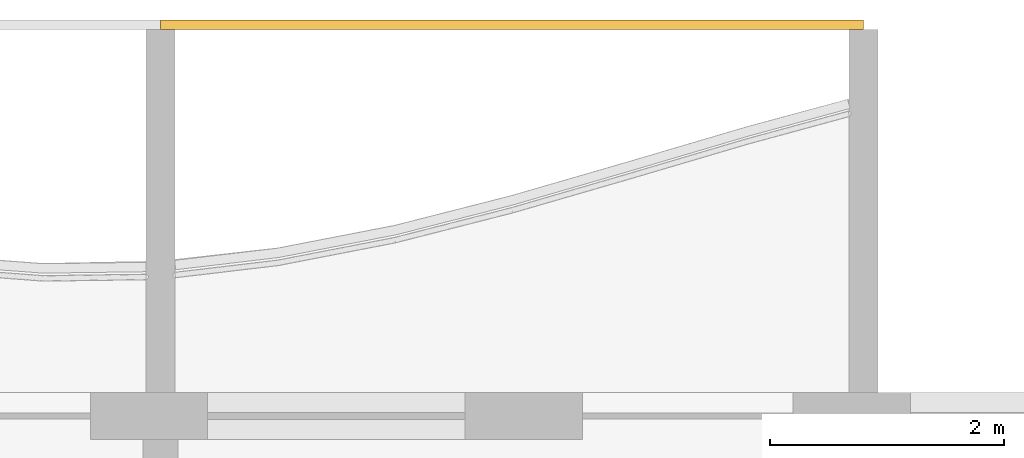
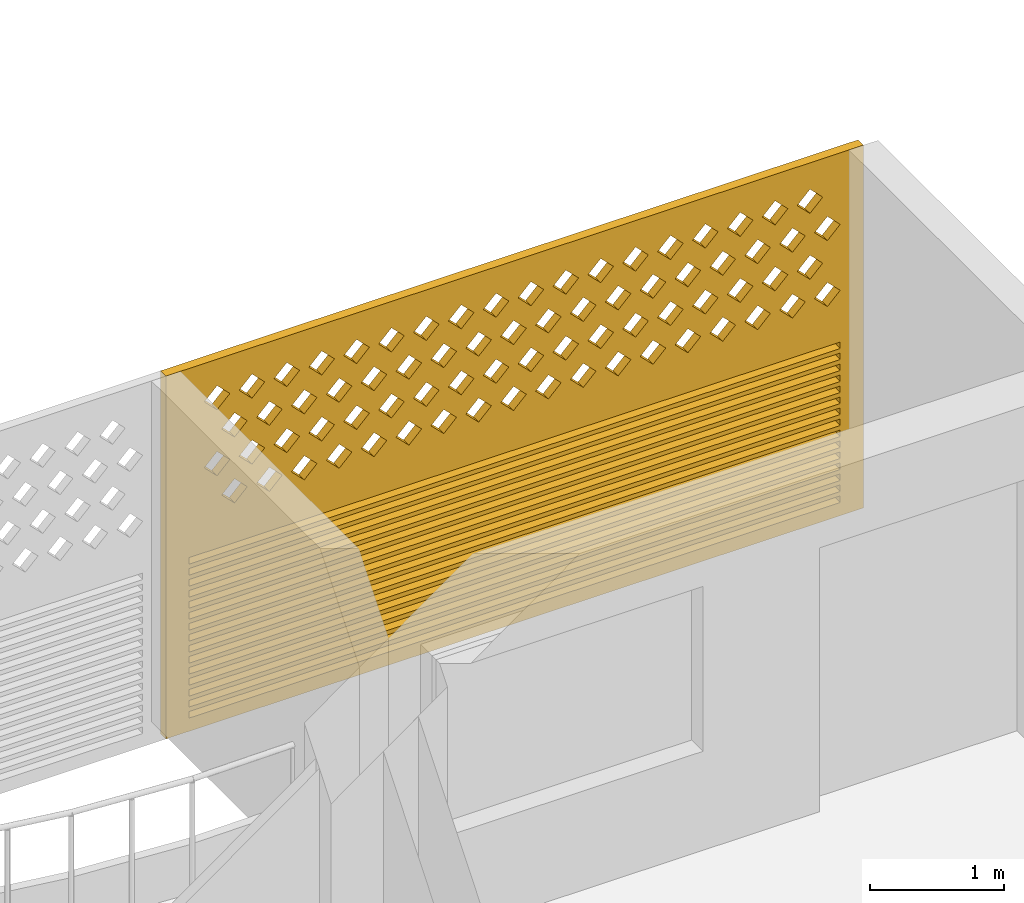
# One storey, part 19 of 31: 1 covering.
"""IFC4 building model written with IfcOpenShell, lengths in metres."""

import ifcopenshell
import ifcopenshell.guid

model = None  # the IFC model being written
_history = None  # IfcOwnerHistory: only IFC2X3 demands one
_inside = {}  # id of a spatial element -> (the spatial element, [elements in it])
_under = {}  # id of a project, library or spatial element -> (it, [spatial elements below it])
_declared = {}  # id of a project -> (the project, [libraries it declares])
_typed = {}  # id of a type object -> (the type object, [elements of that type])
_made_of = {}  # id of a material, layer set ... -> (it, [elements and type objects made of it])


def new_model(schema):
    """Start an empty IFC model of exactly this schema.

    Asked for "IFC4X3", IfcOpenShell would pick the latest addendum, in which some entities
    have other attributes; the version numbers below select the first issue.
    IFC2X3 requires an IfcOwnerHistory on every rooted entity: one is made here for all.
    """
    global model, _history
    if schema == "IFC4X3":
        model = ifcopenshell.file(schema_version=(4, 3, 0, 0))
    else:
        model = ifcopenshell.file(schema=schema)
    _inside.clear()
    _under.clear()
    _declared.clear()
    _typed.clear()
    _made_of.clear()
    _history = None
    if model.schema == "IFC2X3":
        org = make("IfcOrganization", Name="unknown")
        user = make(
            "IfcPersonAndOrganization",
            ThePerson=make("IfcPerson", FamilyName="unknown"),
            TheOrganization=org,
        )
        app = make(
            "IfcApplication",
            ApplicationDeveloper=org,
            Version="unknown",
            ApplicationFullName="unknown",
            ApplicationIdentifier="unknown",
        )
        _history = make(
            "IfcOwnerHistory",
            OwningUser=user,
            OwningApplication=app,
            ChangeAction="ADDED",
            CreationDate=0,
        )
    return model


def make(cls, **values):
    """One entity of the class cls with the attributes given. An attribute that is None is left unset."""
    return model.create_entity(
        cls, **{name: value for name, value in values.items() if value is not None}
    )


def rooted(cls, **values):
    """An entity with a GlobalId (a new one), such as an element, a storey or a relation."""
    return make(cls, GlobalId=ifcopenshell.guid.new(), OwnerHistory=_history, **values)


def si_unit(unit_type, name, prefix=None):
    """IfcSIUnit, for example si_unit("LENGTHUNIT", "METRE", prefix="MILLI")."""
    return make("IfcSIUnit", UnitType=unit_type, Prefix=prefix, Name=name)


def assignment(units):
    """IfcUnitAssignment: the units of a project."""
    return None if units is None else make("IfcUnitAssignment", Units=units)


def point(xyz):
    """IfcCartesianPoint."""
    return None if xyz is None else make("IfcCartesianPoint", Coordinates=xyz)


def direction(xyz):
    """IfcDirection."""
    return None if xyz is None else make("IfcDirection", DirectionRatios=xyz)


def frame(location, z_axis=None, x_axis=None):
    """IfcAxis2Placement3D, a coordinate frame: its origin and axes. An axis left out is left unset."""
    return make(
        "IfcAxis2Placement3D",
        Location=point(location),
        Axis=direction(z_axis),
        RefDirection=direction(x_axis),
    )


def origin():
    """The frame at (0, 0, 0) with its axes left unset."""
    return frame((0.0, 0.0, 0.0))


def place(relative_to, where):
    """IfcLocalPlacement: puts the frame where relative to a parent placement (None: the world)."""
    return make(
        "IfcLocalPlacement", PlacementRelTo=relative_to, RelativePlacement=where
    )


def context(
    kind, dimensions, precision=None, world=None, true_north=None, identifier=None
):
    """IfcGeometricRepresentationContext, for example the 3D "Model" context."""
    return make(
        "IfcGeometricRepresentationContext",
        ContextIdentifier=identifier,
        ContextType=kind,
        CoordinateSpaceDimension=dimensions,
        Precision=precision,
        WorldCoordinateSystem=world,
        TrueNorth=true_north,
    )


def subcontext(parent, identifier, kind, view, scale=None):
    """IfcGeometricRepresentationSubContext, for example "Body" below "Model"."""
    return make(
        "IfcGeometricRepresentationSubContext",
        ContextIdentifier=identifier,
        ContextType=kind,
        ParentContext=parent,
        TargetScale=scale,
        TargetView=view,
    )


def project(units=None, contexts=None):
    """IfcProject with its units and contexts."""
    return rooted(
        "IfcProject",
        Name="project",
        RepresentationContexts=contexts,
        UnitsInContext=assignment(units),
    )


def spatial(cls, under=None, at=None, **own):
    """A site, building, storey or space (cls), placed at a placement, below another one or the project."""
    s = rooted(cls, ObjectPlacement=at, **own)
    if under is not None:
        _under.setdefault(under.id(), (under, []))[1].append(s)
    return s


def polyline(points):
    """IfcPolyline through the points."""
    return make("IfcPolyline", Points=[point(p) for p in points])


def outline(outer, holes=None, kind="AREA"):
    """IfcArbitraryClosedProfileDef: a profile drawn as a closed curve; with holes, ...WithVoids."""
    if holes is None:
        return make("IfcArbitraryClosedProfileDef", ProfileType=kind, OuterCurve=outer)
    return make(
        "IfcArbitraryProfileDefWithVoids",
        ProfileType=kind,
        OuterCurve=outer,
        InnerCurves=holes,
    )


def extrude(swept, where, along, depth):
    """IfcExtrudedAreaSolid: the profile swept, set in the frame where, extruded along a direction by depth."""
    return make(
        "IfcExtrudedAreaSolid",
        SweptArea=swept,
        Position=where,
        ExtrudedDirection=direction(along),
        Depth=depth,
    )


def shape(context_of_items, identifier, shape_type, items):
    """IfcShapeRepresentation: the items that make up one representation, for example the "Body"."""
    return make(
        "IfcShapeRepresentation",
        ContextOfItems=context_of_items,
        RepresentationIdentifier=identifier,
        RepresentationType=shape_type,
        Items=items,
    )


def source(mapping_origin, context_of_items, identifier, shape_type, items):
    """IfcRepresentationMap: a shape defined once, which mapped items show again and again."""
    return make(
        "IfcRepresentationMap",
        MappingOrigin=mapping_origin,
        MappedRepresentation=shape(context_of_items, identifier, shape_type, items),
    )


def transform(
    local_origin,
    x_axis=None,
    y_axis=None,
    z_axis=None,
    scale=None,
    scale2=None,
    scale3=None,
    uniform=True,
):
    """IfcCartesianTransformationOperator3D, or its non-uniform kind. x_axis, y_axis, z_axis: its Axis1, 2, 3."""
    if uniform:
        return make(
            "IfcCartesianTransformationOperator3D",
            Axis1=direction(x_axis),
            Axis2=direction(y_axis),
            LocalOrigin=point(local_origin),
            Scale=scale,
            Axis3=direction(z_axis),
        )
    return make(
        "IfcCartesianTransformationOperator3DnonUniform",
        Axis1=direction(x_axis),
        Axis2=direction(y_axis),
        LocalOrigin=point(local_origin),
        Scale=scale,
        Axis3=direction(z_axis),
        Scale2=scale2,
        Scale3=scale3,
    )


def mapped(mapping_source, mapping_target):
    """IfcMappedItem: shows the shape of a source again, moved by a transform."""
    return make(
        "IfcMappedItem", MappingSource=mapping_source, MappingTarget=mapping_target
    )


def material(Name=None, Category=None):
    """IfcMaterial."""
    return make("IfcMaterial", Name=Name, Category=Category)


def material_profile(
    of_material, cross_section, Name=None, Category=None, Priority=None
):
    """IfcMaterialProfile: a cross section and its material."""
    return make(
        "IfcMaterialProfile",
        Name=Name,
        Material=of_material,
        Profile=cross_section,
        Priority=Priority,
        Category=Category,
    )


def profile_set(profiles, Name=None, composite=None):
    """IfcMaterialProfileSet."""
    return make(
        "IfcMaterialProfileSet",
        Name=Name,
        MaterialProfiles=profiles,
        CompositeProfile=composite,
    )


def made_of(thing, what):
    """Note that an element or type object is made of a material, layer set ...; save() writes the relation."""
    if what is not None:
        _made_of.setdefault(what.id(), (what, []))[1].append(thing)
    return thing


def type_object(cls, material=None, **own):
    """A type object (cls), such as IfcWallType, which elements share."""
    return made_of(rooted(cls, **own), material)


def element(
    cls,
    number,
    at=None,
    inside=None,
    cuts=None,
    type_object=None,
    material=None,
    context=None,
    identifier="Body",
    shape_type=None,
    held_by="IfcProductDefinitionShape",
    body=None,
    shapes=None,
    **own,
):
    """One element of the class cls, such as IfcWall. Its Tag is "e" and its number.

    at: its placement. inside: the storey or other place that contains it. cuts: it is an
    opening in that element (IfcRelVoidsElement). A single representation is given by context,
    identifier, shape_type and body (its items); several are given by shapes. held_by: the class
    of the entity that holds the representations. save() writes the other relations.
    """
    e = rooted(cls, Tag="e%d" % number, ObjectPlacement=at, **own)
    if body is not None:
        shapes = [shape(context, identifier, shape_type, body)]
    if shapes is not None:
        e.Representation = make(held_by, Representations=shapes)
    if inside is not None:
        _inside.setdefault(inside.id(), (inside, []))[1].append(e)
    if cuts is not None:
        rooted(
            "IfcRelVoidsElement", RelatingBuildingElement=cuts, RelatedOpeningElement=e
        )
    if type_object is not None:
        _typed.setdefault(type_object.id(), (type_object, []))[1].append(e)
    return made_of(e, material)


def aggregate(whole, parts):
    """IfcRelAggregates: a whole, such as a stair, and the parts it consists of."""
    return rooted("IfcRelAggregates", RelatingObject=whole, RelatedObjects=parts)


def save(model, path):
    """Write the relations noted so far, then the file.

    IfcRelAggregates (storeys below a building ...), IfcRelContainedInSpatialStructure (elements
    in a storey), IfcRelDefinesByType, IfcRelAssociatesMaterial and IfcRelDeclares: one each for
    every whole, place, type object, material and project.
    """
    for whole, parts in _under.values():
        aggregate(whole, parts)
    for where, things in _inside.values():
        rooted(
            "IfcRelContainedInSpatialStructure",
            RelatedElements=things,
            RelatingStructure=where,
        )
    for kind, things in _typed.values():
        rooted("IfcRelDefinesByType", RelatedObjects=things, RelatingType=kind)
    for what, things in _made_of.values():
        rooted("IfcRelAssociatesMaterial", RelatedObjects=things, RelatingMaterial=what)
    for by, libraries in _declared.values():
        rooted("IfcRelDeclares", RelatingContext=by, RelatedDefinitions=libraries)
    model.write(path)


model = new_model("IFC4")

# Units and contexts
model_context = context("Model", 3, precision=1e-05, world=origin(), true_north=direction((0.0, 1.0)))
body_context = subcontext(model_context, "Body", "Model", "MODEL_VIEW")
ifc_project = project(units=[si_unit("LENGTHUNIT", "METRE"), si_unit("AREAUNIT", "SQUARE_METRE"), si_unit("VOLUMEUNIT", "CUBIC_METRE"), si_unit("PLANEANGLEUNIT", "RADIAN"), si_unit("MASSUNIT", "GRAM", prefix="KILO")], contexts=[model_context])

# Site, building, storey
site_placement = place(None, origin())
site = spatial("IfcSite", under=ifc_project, at=site_placement, CompositionType="ELEMENT")
building_placement = place(site_placement, origin())
building = spatial("IfcBuilding", under=site, at=building_placement, Name="Poui Terraces", CompositionType="ELEMENT")
storey_placement = place(building_placement, frame((0.0, 0.0, 148.800048828125)))
storey = spatial("IfcBuildingStorey", under=building, at=storey_placement, Name="L41", CompositionType="ELEMENT", Elevation=148.800048828125)

# Covering
ifc_material = material(Name="Terracotta screen", Category="masonry")
ifc_material_profile = material_profile(ifc_material, outline(polyline([(-3.0, -1.64990234375), (3.0, -1.64990234375), (3.0, 1.64990234375), (-3.0, 1.64990234375), (-3.0, -1.64990234375)]), holes=[polyline([(-2.800048828125, 0.39990234375), (-2.68994140625, 0.2900390625), (-2.580078125, 0.39990234375), (-2.68994140625, 0.510009765625), (-2.800048828125, 0.39990234375)]), polyline([(-2.5, 0.39990234375), (-2.389892578125, 0.2900390625), (-2.280029296875, 0.39990234375), (-2.389892578125, 0.510009765625), (-2.5, 0.39990234375)]), polyline([(-2.199951171875, 0.39990234375), (-2.090087890625, 0.2900390625), (-1.97998046875, 0.39990234375), (-2.090087890625, 0.510009765625), (-2.199951171875, 0.39990234375)]), polyline([(-1.89990234375, 0.39990234375), (-1.7900390625, 0.2900390625), (-1.679931640625, 0.39990234375), (-1.7900390625, 0.510009765625), (-1.89990234375, 0.39990234375)]), polyline([(-1.60009765625, 0.39990234375), (-1.489990234375, 0.2900390625), (-1.3798828125, 0.39990234375), (-1.489990234375, 0.510009765625), (-1.60009765625, 0.39990234375)]), polyline([(-1.300048828125, 0.39990234375), (-1.18994140625, 0.2900390625), (-1.080078125, 0.39990234375), (-1.18994140625, 0.510009765625), (-1.300048828125, 0.39990234375)]), polyline([(-1.0, 0.39990234375), (-0.889892578125, 0.2900390625), (-0.780029296875, 0.39990234375), (-0.889892578125, 0.510009765625), (-1.0, 0.39990234375)]), polyline([(-0.699951171875, 0.39990234375), (-0.590087890625, 0.2900390625), (-0.47998046875, 0.39990234375), (-0.590087890625, 0.510009765625), (-0.699951171875, 0.39990234375)]), polyline([(-0.39990234375, 0.39990234375), (-0.2900390625, 0.2900390625), (-0.179931640625, 0.39990234375), (-0.2900390625, 0.510009765625), (-0.39990234375, 0.39990234375)]), polyline([(-0.10009765625, 0.39990234375), (0.010009765625, 0.2900390625), (0.1201171875, 0.39990234375), (0.010009765625, 0.510009765625), (-0.10009765625, 0.39990234375)]), polyline([(0.199951171875, 0.39990234375), (0.31005859375, 0.2900390625), (0.419921875, 0.39990234375), (0.31005859375, 0.510009765625), (0.199951171875, 0.39990234375)]), polyline([(0.5, 0.39990234375), (0.610107421875, 0.2900390625), (0.719970703125, 0.39990234375), (0.610107421875, 0.510009765625), (0.5, 0.39990234375)]), polyline([(0.800048828125, 0.39990234375), (0.909912109375, 0.2900390625), (1.02001953125, 0.39990234375), (0.909912109375, 0.510009765625), (0.800048828125, 0.39990234375)]), polyline([(1.10009765625, 0.39990234375), (1.2099609375, 0.2900390625), (1.320068359375, 0.39990234375), (1.2099609375, 0.510009765625), (1.10009765625, 0.39990234375)]), polyline([(1.39990234375, 0.39990234375), (1.510009765625, 0.2900390625), (1.6201171875, 0.39990234375), (1.510009765625, 0.510009765625), (1.39990234375, 0.39990234375)]), polyline([(1.699951171875, 0.39990234375), (1.81005859375, 0.2900390625), (1.919921875, 0.39990234375), (1.81005859375, 0.510009765625), (1.699951171875, 0.39990234375)]), polyline([(2.0, 0.39990234375), (2.110107421875, 0.2900390625), (2.219970703125, 0.39990234375), (2.110107421875, 0.510009765625), (2.0, 0.39990234375)]), polyline([(2.300048828125, 0.39990234375), (2.409912109375, 0.2900390625), (2.52001953125, 0.39990234375), (2.409912109375, 0.510009765625), (2.300048828125, 0.39990234375)]), polyline([(-2.64990234375, 0.699951171875), (-2.5400390625, 0.590087890625), (-2.429931640625, 0.699951171875), (-2.5400390625, 0.81005859375), (-2.64990234375, 0.699951171875)]), polyline([(-2.35009765625, 0.699951171875), (-2.239990234375, 0.590087890625), (-2.1298828125, 0.699951171875), (-2.239990234375, 0.81005859375), (-2.35009765625, 0.699951171875)]), polyline([(-2.050048828125, 0.699951171875), (-1.93994140625, 0.590087890625), (-1.830078125, 0.699951171875), (-1.93994140625, 0.81005859375), (-2.050048828125, 0.699951171875)]), polyline([(-1.75, 0.699951171875), (-1.639892578125, 0.590087890625), (-1.530029296875, 0.699951171875), (-1.639892578125, 0.81005859375), (-1.75, 0.699951171875)]), polyline([(-1.449951171875, 0.699951171875), (-1.340087890625, 0.590087890625), (-1.22998046875, 0.699951171875), (-1.340087890625, 0.81005859375), (-1.449951171875, 0.699951171875)]), polyline([(-1.14990234375, 0.699951171875), (-1.0400390625, 0.590087890625), (-0.929931640625, 0.699951171875), (-1.0400390625, 0.81005859375), (-1.14990234375, 0.699951171875)]), polyline([(-0.85009765625, 0.699951171875), (-0.739990234375, 0.590087890625), (-0.6298828125, 0.699951171875), (-0.739990234375, 0.81005859375), (-0.85009765625, 0.699951171875)]), polyline([(-0.550048828125, 0.699951171875), (-0.43994140625, 0.590087890625), (-0.330078125, 0.699951171875), (-0.43994140625, 0.81005859375), (-0.550048828125, 0.699951171875)]), polyline([(-0.25, 0.699951171875), (-0.139892578125, 0.590087890625), (-0.030029296875, 0.699951171875), (-0.139892578125, 0.81005859375), (-0.25, 0.699951171875)]), polyline([(0.050048828125, 0.699951171875), (0.159912109375, 0.590087890625), (0.27001953125, 0.699951171875), (0.159912109375, 0.81005859375), (0.050048828125, 0.699951171875)]), polyline([(0.35009765625, 0.699951171875), (0.4599609375, 0.590087890625), (0.570068359375, 0.699951171875), (0.4599609375, 0.81005859375), (0.35009765625, 0.699951171875)]), polyline([(0.64990234375, 0.699951171875), (0.760009765625, 0.590087890625), (0.8701171875, 0.699951171875), (0.760009765625, 0.81005859375), (0.64990234375, 0.699951171875)]), polyline([(0.949951171875, 0.699951171875), (1.06005859375, 0.590087890625), (1.169921875, 0.699951171875), (1.06005859375, 0.81005859375), (0.949951171875, 0.699951171875)]), polyline([(1.25, 0.699951171875), (1.360107421875, 0.590087890625), (1.469970703125, 0.699951171875), (1.360107421875, 0.81005859375), (1.25, 0.699951171875)]), polyline([(1.550048828125, 0.699951171875), (1.659912109375, 0.590087890625), (1.77001953125, 0.699951171875), (1.659912109375, 0.81005859375), (1.550048828125, 0.699951171875)]), polyline([(1.85009765625, 0.699951171875), (1.9599609375, 0.590087890625), (2.070068359375, 0.699951171875), (1.9599609375, 0.81005859375), (1.85009765625, 0.699951171875)]), polyline([(2.14990234375, 0.699951171875), (2.260009765625, 0.590087890625), (2.3701171875, 0.699951171875), (2.260009765625, 0.81005859375), (2.14990234375, 0.699951171875)]), polyline([(2.449951171875, 0.699951171875), (2.56005859375, 0.590087890625), (2.669921875, 0.699951171875), (2.56005859375, 0.81005859375), (2.449951171875, 0.699951171875)]), polyline([(-2.800048828125, 1.0), (-2.68994140625, 0.889892578125), (-2.580078125, 1.0), (-2.68994140625, 1.110107421875), (-2.800048828125, 1.0)]), polyline([(-2.5, 1.0), (-2.389892578125, 0.889892578125), (-2.280029296875, 1.0), (-2.389892578125, 1.110107421875), (-2.5, 1.0)]), polyline([(-2.199951171875, 1.0), (-2.090087890625, 0.889892578125), (-1.97998046875, 1.0), (-2.090087890625, 1.110107421875), (-2.199951171875, 1.0)]), polyline([(-1.89990234375, 1.0), (-1.7900390625, 0.889892578125), (-1.679931640625, 1.0), (-1.7900390625, 1.110107421875), (-1.89990234375, 1.0)]), polyline([(-1.60009765625, 1.0), (-1.489990234375, 0.889892578125), (-1.3798828125, 1.0), (-1.489990234375, 1.110107421875), (-1.60009765625, 1.0)]), polyline([(-1.300048828125, 1.0), (-1.18994140625, 0.889892578125), (-1.080078125, 1.0), (-1.18994140625, 1.110107421875), (-1.300048828125, 1.0)]), polyline([(-1.0, 1.0), (-0.889892578125, 0.889892578125), (-0.780029296875, 1.0), (-0.889892578125, 1.110107421875), (-1.0, 1.0)]), polyline([(-0.699951171875, 1.0), (-0.590087890625, 0.889892578125), (-0.47998046875, 1.0), (-0.590087890625, 1.110107421875), (-0.699951171875, 1.0)]), polyline([(-0.39990234375, 1.0), (-0.2900390625, 0.889892578125), (-0.179931640625, 1.0), (-0.2900390625, 1.110107421875), (-0.39990234375, 1.0)]), polyline([(-0.10009765625, 1.0), (0.010009765625, 0.889892578125), (0.1201171875, 1.0), (0.010009765625, 1.110107421875), (-0.10009765625, 1.0)]), polyline([(0.199951171875, 1.0), (0.31005859375, 0.889892578125), (0.419921875, 1.0), (0.31005859375, 1.110107421875), (0.199951171875, 1.0)]), polyline([(0.5, 1.0), (0.610107421875, 0.889892578125), (0.719970703125, 1.0), (0.610107421875, 1.110107421875), (0.5, 1.0)]), polyline([(0.800048828125, 1.0), (0.909912109375, 0.889892578125), (1.02001953125, 1.0), (0.909912109375, 1.110107421875), (0.800048828125, 1.0)]), polyline([(1.10009765625, 1.0), (1.2099609375, 0.889892578125), (1.320068359375, 1.0), (1.2099609375, 1.110107421875), (1.10009765625, 1.0)]), polyline([(1.39990234375, 1.0), (1.510009765625, 0.889892578125), (1.6201171875, 1.0), (1.510009765625, 1.110107421875), (1.39990234375, 1.0)]), polyline([(1.699951171875, 1.0), (1.81005859375, 0.889892578125), (1.919921875, 1.0), (1.81005859375, 1.110107421875), (1.699951171875, 1.0)]), polyline([(2.0, 1.0), (2.110107421875, 0.889892578125), (2.219970703125, 1.0), (2.110107421875, 1.110107421875), (2.0, 1.0)]), polyline([(2.300048828125, 1.0), (2.409912109375, 0.889892578125), (2.52001953125, 1.0), (2.409912109375, 1.110107421875), (2.300048828125, 1.0)]), polyline([(-2.64990234375, 1.300048828125), (-2.5400390625, 1.18994140625), (-2.429931640625, 1.300048828125), (-2.5400390625, 1.409912109375), (-2.64990234375, 1.300048828125)]), polyline([(-2.35009765625, 1.300048828125), (-2.239990234375, 1.18994140625), (-2.1298828125, 1.300048828125), (-2.239990234375, 1.409912109375), (-2.35009765625, 1.300048828125)]), polyline([(-2.050048828125, 1.300048828125), (-1.93994140625, 1.18994140625), (-1.830078125, 1.300048828125), (-1.93994140625, 1.409912109375), (-2.050048828125, 1.300048828125)]), polyline([(-1.75, 1.300048828125), (-1.639892578125, 1.18994140625), (-1.530029296875, 1.300048828125), (-1.639892578125, 1.409912109375), (-1.75, 1.300048828125)]), polyline([(-1.449951171875, 1.300048828125), (-1.340087890625, 1.18994140625), (-1.22998046875, 1.300048828125), (-1.340087890625, 1.409912109375), (-1.449951171875, 1.300048828125)]), polyline([(-1.14990234375, 1.300048828125), (-1.0400390625, 1.18994140625), (-0.929931640625, 1.300048828125), (-1.0400390625, 1.409912109375), (-1.14990234375, 1.300048828125)]), polyline([(-0.85009765625, 1.300048828125), (-0.739990234375, 1.18994140625), (-0.6298828125, 1.300048828125), (-0.739990234375, 1.409912109375), (-0.85009765625, 1.300048828125)]), polyline([(-0.550048828125, 1.300048828125), (-0.43994140625, 1.18994140625), (-0.330078125, 1.300048828125), (-0.43994140625, 1.409912109375), (-0.550048828125, 1.300048828125)]), polyline([(-0.25, 1.300048828125), (-0.139892578125, 1.18994140625), (-0.030029296875, 1.300048828125), (-0.139892578125, 1.409912109375), (-0.25, 1.300048828125)]), polyline([(0.050048828125, 1.300048828125), (0.159912109375, 1.18994140625), (0.27001953125, 1.300048828125), (0.159912109375, 1.409912109375), (0.050048828125, 1.300048828125)]), polyline([(0.35009765625, 1.300048828125), (0.4599609375, 1.18994140625), (0.570068359375, 1.300048828125), (0.4599609375, 1.409912109375), (0.35009765625, 1.300048828125)]), polyline([(0.64990234375, 1.300048828125), (0.760009765625, 1.18994140625), (0.8701171875, 1.300048828125), (0.760009765625, 1.409912109375), (0.64990234375, 1.300048828125)]), polyline([(0.949951171875, 1.300048828125), (1.06005859375, 1.18994140625), (1.169921875, 1.300048828125), (1.06005859375, 1.409912109375), (0.949951171875, 1.300048828125)]), polyline([(1.25, 1.300048828125), (1.360107421875, 1.18994140625), (1.469970703125, 1.300048828125), (1.360107421875, 1.409912109375), (1.25, 1.300048828125)]), polyline([(1.550048828125, 1.300048828125), (1.659912109375, 1.18994140625), (1.77001953125, 1.300048828125), (1.659912109375, 1.409912109375), (1.550048828125, 1.300048828125)]), polyline([(1.85009765625, 1.300048828125), (1.9599609375, 1.18994140625), (2.070068359375, 1.300048828125), (1.9599609375, 1.409912109375), (1.85009765625, 1.300048828125)]), polyline([(2.14990234375, 1.300048828125), (2.260009765625, 1.18994140625), (2.3701171875, 1.300048828125), (2.260009765625, 1.409912109375), (2.14990234375, 1.300048828125)]), polyline([(2.449951171875, 1.300048828125), (2.56005859375, 1.18994140625), (2.669921875, 1.300048828125), (2.56005859375, 1.409912109375), (2.449951171875, 1.300048828125)]), polyline([(-2.800048828125, -1.530029296875), (2.800048828125, -1.530029296875), (2.800048828125, -1.469970703125), (-2.800048828125, -1.469970703125), (-2.800048828125, -1.530029296875)]), polyline([(-2.800048828125, -1.429931640625), (2.800048828125, -1.429931640625), (2.800048828125, -1.3701171875), (-2.800048828125, -1.3701171875), (-2.800048828125, -1.429931640625)]), polyline([(-2.800048828125, -1.330078125), (2.800048828125, -1.330078125), (2.800048828125, -1.27001953125), (-2.800048828125, -1.27001953125), (-2.800048828125, -1.330078125)]), polyline([(-2.800048828125, -1.22998046875), (2.800048828125, -1.22998046875), (2.800048828125, -1.169921875), (-2.800048828125, -1.169921875), (-2.800048828125, -1.22998046875)]), polyline([(-2.800048828125, -1.1298828125), (2.800048828125, -1.1298828125), (2.800048828125, -1.070068359375), (-2.800048828125, -1.070068359375), (-2.800048828125, -1.1298828125)]), polyline([(-2.800048828125, -1.030029296875), (2.800048828125, -1.030029296875), (2.800048828125, -0.969970703125), (-2.800048828125, -0.969970703125), (-2.800048828125, -1.030029296875)]), polyline([(-2.800048828125, -0.929931640625), (2.800048828125, -0.929931640625), (2.800048828125, -0.8701171875), (-2.800048828125, -0.8701171875), (-2.800048828125, -0.929931640625)]), polyline([(-2.800048828125, -0.830078125), (2.800048828125, -0.830078125), (2.800048828125, -0.77001953125), (-2.800048828125, -0.77001953125), (-2.800048828125, -0.830078125)]), polyline([(-2.800048828125, -0.72998046875), (2.800048828125, -0.72998046875), (2.800048828125, -0.669921875), (-2.800048828125, -0.669921875), (-2.800048828125, -0.72998046875)]), polyline([(-2.800048828125, -0.6298828125), (2.800048828125, -0.6298828125), (2.800048828125, -0.570068359375), (-2.800048828125, -0.570068359375), (-2.800048828125, -0.6298828125)]), polyline([(-2.800048828125, -0.530029296875), (2.800048828125, -0.530029296875), (2.800048828125, -0.469970703125), (-2.800048828125, -0.469970703125), (-2.800048828125, -0.530029296875)]), polyline([(-2.800048828125, -0.429931640625), (2.800048828125, -0.429931640625), (2.800048828125, -0.3701171875), (-2.800048828125, -0.3701171875), (-2.800048828125, -0.429931640625)]), polyline([(-2.800048828125, -0.330078125), (2.800048828125, -0.330078125), (2.800048828125, -0.27001953125), (-2.800048828125, -0.27001953125), (-2.800048828125, -0.330078125)]), polyline([(-2.800048828125, -0.22998046875), (2.800048828125, -0.22998046875), (2.800048828125, -0.169921875), (-2.800048828125, -0.169921875), (-2.800048828125, -0.22998046875)]), polyline([(-2.800048828125, -0.1298828125), (2.800048828125, -0.1298828125), (2.800048828125, -0.070068359375), (-2.800048828125, -0.070068359375), (-2.800048828125, -0.1298828125)])]), Name="TERRACOTTA SCREEN AND JALOUSIE LOUVRE 6000X3300")
ifc_profile_set = profile_set([ifc_material_profile], Name="Terracotta screen")
covering_type = type_object("IfcCoveringType", Name="TERRACOTTA SCREEN AND JALOUSIE LOUVRE 6000X3300", PredefinedType="CLADDING", material=ifc_profile_set)
shared_shape = source(origin(), body_context, "Body", "SweptSolid", [
    extrude(outline(polyline([(-3.0, -1.64990234375), (3.0, -1.64990234375), (3.0, 1.64990234375), (-3.0, 1.64990234375), (-3.0, -1.64990234375)]), holes=[polyline([(-2.800048828125, 0.39990234375), (-2.68994140625, 0.2900390625), (-2.580078125, 0.39990234375), (-2.68994140625, 0.510009765625), (-2.800048828125, 0.39990234375)]), polyline([(-2.5, 0.39990234375), (-2.389892578125, 0.2900390625), (-2.280029296875, 0.39990234375), (-2.389892578125, 0.510009765625), (-2.5, 0.39990234375)]), polyline([(-2.199951171875, 0.39990234375), (-2.090087890625, 0.2900390625), (-1.97998046875, 0.39990234375), (-2.090087890625, 0.510009765625), (-2.199951171875, 0.39990234375)]), polyline([(-1.89990234375, 0.39990234375), (-1.7900390625, 0.2900390625), (-1.679931640625, 0.39990234375), (-1.7900390625, 0.510009765625), (-1.89990234375, 0.39990234375)]), polyline([(-1.60009765625, 0.39990234375), (-1.489990234375, 0.2900390625), (-1.3798828125, 0.39990234375), (-1.489990234375, 0.510009765625), (-1.60009765625, 0.39990234375)]), polyline([(-1.300048828125, 0.39990234375), (-1.18994140625, 0.2900390625), (-1.080078125, 0.39990234375), (-1.18994140625, 0.510009765625), (-1.300048828125, 0.39990234375)]), polyline([(-1.0, 0.39990234375), (-0.889892578125, 0.2900390625), (-0.780029296875, 0.39990234375), (-0.889892578125, 0.510009765625), (-1.0, 0.39990234375)]), polyline([(-0.699951171875, 0.39990234375), (-0.590087890625, 0.2900390625), (-0.47998046875, 0.39990234375), (-0.590087890625, 0.510009765625), (-0.699951171875, 0.39990234375)]), polyline([(-0.39990234375, 0.39990234375), (-0.2900390625, 0.2900390625), (-0.179931640625, 0.39990234375), (-0.2900390625, 0.510009765625), (-0.39990234375, 0.39990234375)]), polyline([(-0.10009765625, 0.39990234375), (0.010009765625, 0.2900390625), (0.1201171875, 0.39990234375), (0.010009765625, 0.510009765625), (-0.10009765625, 0.39990234375)]), polyline([(0.199951171875, 0.39990234375), (0.31005859375, 0.2900390625), (0.419921875, 0.39990234375), (0.31005859375, 0.510009765625), (0.199951171875, 0.39990234375)]), polyline([(0.5, 0.39990234375), (0.610107421875, 0.2900390625), (0.719970703125, 0.39990234375), (0.610107421875, 0.510009765625), (0.5, 0.39990234375)]), polyline([(0.800048828125, 0.39990234375), (0.909912109375, 0.2900390625), (1.02001953125, 0.39990234375), (0.909912109375, 0.510009765625), (0.800048828125, 0.39990234375)]), polyline([(1.10009765625, 0.39990234375), (1.2099609375, 0.2900390625), (1.320068359375, 0.39990234375), (1.2099609375, 0.510009765625), (1.10009765625, 0.39990234375)]), polyline([(1.39990234375, 0.39990234375), (1.510009765625, 0.2900390625), (1.6201171875, 0.39990234375), (1.510009765625, 0.510009765625), (1.39990234375, 0.39990234375)]), polyline([(1.699951171875, 0.39990234375), (1.81005859375, 0.2900390625), (1.919921875, 0.39990234375), (1.81005859375, 0.510009765625), (1.699951171875, 0.39990234375)]), polyline([(2.0, 0.39990234375), (2.110107421875, 0.2900390625), (2.219970703125, 0.39990234375), (2.110107421875, 0.510009765625), (2.0, 0.39990234375)]), polyline([(2.300048828125, 0.39990234375), (2.409912109375, 0.2900390625), (2.52001953125, 0.39990234375), (2.409912109375, 0.510009765625), (2.300048828125, 0.39990234375)]), polyline([(-2.64990234375, 0.699951171875), (-2.5400390625, 0.590087890625), (-2.429931640625, 0.699951171875), (-2.5400390625, 0.81005859375), (-2.64990234375, 0.699951171875)]), polyline([(-2.35009765625, 0.699951171875), (-2.239990234375, 0.590087890625), (-2.1298828125, 0.699951171875), (-2.239990234375, 0.81005859375), (-2.35009765625, 0.699951171875)]), polyline([(-2.050048828125, 0.699951171875), (-1.93994140625, 0.590087890625), (-1.830078125, 0.699951171875), (-1.93994140625, 0.81005859375), (-2.050048828125, 0.699951171875)]), polyline([(-1.75, 0.699951171875), (-1.639892578125, 0.590087890625), (-1.530029296875, 0.699951171875), (-1.639892578125, 0.81005859375), (-1.75, 0.699951171875)]), polyline([(-1.449951171875, 0.699951171875), (-1.340087890625, 0.590087890625), (-1.22998046875, 0.699951171875), (-1.340087890625, 0.81005859375), (-1.449951171875, 0.699951171875)]), polyline([(-1.14990234375, 0.699951171875), (-1.0400390625, 0.590087890625), (-0.929931640625, 0.699951171875), (-1.0400390625, 0.81005859375), (-1.14990234375, 0.699951171875)]), polyline([(-0.85009765625, 0.699951171875), (-0.739990234375, 0.590087890625), (-0.6298828125, 0.699951171875), (-0.739990234375, 0.81005859375), (-0.85009765625, 0.699951171875)]), polyline([(-0.550048828125, 0.699951171875), (-0.43994140625, 0.590087890625), (-0.330078125, 0.699951171875), (-0.43994140625, 0.81005859375), (-0.550048828125, 0.699951171875)]), polyline([(-0.25, 0.699951171875), (-0.139892578125, 0.590087890625), (-0.030029296875, 0.699951171875), (-0.139892578125, 0.81005859375), (-0.25, 0.699951171875)]), polyline([(0.050048828125, 0.699951171875), (0.159912109375, 0.590087890625), (0.27001953125, 0.699951171875), (0.159912109375, 0.81005859375), (0.050048828125, 0.699951171875)]), polyline([(0.35009765625, 0.699951171875), (0.4599609375, 0.590087890625), (0.570068359375, 0.699951171875), (0.4599609375, 0.81005859375), (0.35009765625, 0.699951171875)]), polyline([(0.64990234375, 0.699951171875), (0.760009765625, 0.590087890625), (0.8701171875, 0.699951171875), (0.760009765625, 0.81005859375), (0.64990234375, 0.699951171875)]), polyline([(0.949951171875, 0.699951171875), (1.06005859375, 0.590087890625), (1.169921875, 0.699951171875), (1.06005859375, 0.81005859375), (0.949951171875, 0.699951171875)]), polyline([(1.25, 0.699951171875), (1.360107421875, 0.590087890625), (1.469970703125, 0.699951171875), (1.360107421875, 0.81005859375), (1.25, 0.699951171875)]), polyline([(1.550048828125, 0.699951171875), (1.659912109375, 0.590087890625), (1.77001953125, 0.699951171875), (1.659912109375, 0.81005859375), (1.550048828125, 0.699951171875)]), polyline([(1.85009765625, 0.699951171875), (1.9599609375, 0.590087890625), (2.070068359375, 0.699951171875), (1.9599609375, 0.81005859375), (1.85009765625, 0.699951171875)]), polyline([(2.14990234375, 0.699951171875), (2.260009765625, 0.590087890625), (2.3701171875, 0.699951171875), (2.260009765625, 0.81005859375), (2.14990234375, 0.699951171875)]), polyline([(2.449951171875, 0.699951171875), (2.56005859375, 0.590087890625), (2.669921875, 0.699951171875), (2.56005859375, 0.81005859375), (2.449951171875, 0.699951171875)]), polyline([(-2.800048828125, 1.0), (-2.68994140625, 0.889892578125), (-2.580078125, 1.0), (-2.68994140625, 1.110107421875), (-2.800048828125, 1.0)]), polyline([(-2.5, 1.0), (-2.389892578125, 0.889892578125), (-2.280029296875, 1.0), (-2.389892578125, 1.110107421875), (-2.5, 1.0)]), polyline([(-2.199951171875, 1.0), (-2.090087890625, 0.889892578125), (-1.97998046875, 1.0), (-2.090087890625, 1.110107421875), (-2.199951171875, 1.0)]), polyline([(-1.89990234375, 1.0), (-1.7900390625, 0.889892578125), (-1.679931640625, 1.0), (-1.7900390625, 1.110107421875), (-1.89990234375, 1.0)]), polyline([(-1.60009765625, 1.0), (-1.489990234375, 0.889892578125), (-1.3798828125, 1.0), (-1.489990234375, 1.110107421875), (-1.60009765625, 1.0)]), polyline([(-1.300048828125, 1.0), (-1.18994140625, 0.889892578125), (-1.080078125, 1.0), (-1.18994140625, 1.110107421875), (-1.300048828125, 1.0)]), polyline([(-1.0, 1.0), (-0.889892578125, 0.889892578125), (-0.780029296875, 1.0), (-0.889892578125, 1.110107421875), (-1.0, 1.0)]), polyline([(-0.699951171875, 1.0), (-0.590087890625, 0.889892578125), (-0.47998046875, 1.0), (-0.590087890625, 1.110107421875), (-0.699951171875, 1.0)]), polyline([(-0.39990234375, 1.0), (-0.2900390625, 0.889892578125), (-0.179931640625, 1.0), (-0.2900390625, 1.110107421875), (-0.39990234375, 1.0)]), polyline([(-0.10009765625, 1.0), (0.010009765625, 0.889892578125), (0.1201171875, 1.0), (0.010009765625, 1.110107421875), (-0.10009765625, 1.0)]), polyline([(0.199951171875, 1.0), (0.31005859375, 0.889892578125), (0.419921875, 1.0), (0.31005859375, 1.110107421875), (0.199951171875, 1.0)]), polyline([(0.5, 1.0), (0.610107421875, 0.889892578125), (0.719970703125, 1.0), (0.610107421875, 1.110107421875), (0.5, 1.0)]), polyline([(0.800048828125, 1.0), (0.909912109375, 0.889892578125), (1.02001953125, 1.0), (0.909912109375, 1.110107421875), (0.800048828125, 1.0)]), polyline([(1.10009765625, 1.0), (1.2099609375, 0.889892578125), (1.320068359375, 1.0), (1.2099609375, 1.110107421875), (1.10009765625, 1.0)]), polyline([(1.39990234375, 1.0), (1.510009765625, 0.889892578125), (1.6201171875, 1.0), (1.510009765625, 1.110107421875), (1.39990234375, 1.0)]), polyline([(1.699951171875, 1.0), (1.81005859375, 0.889892578125), (1.919921875, 1.0), (1.81005859375, 1.110107421875), (1.699951171875, 1.0)]), polyline([(2.0, 1.0), (2.110107421875, 0.889892578125), (2.219970703125, 1.0), (2.110107421875, 1.110107421875), (2.0, 1.0)]), polyline([(2.300048828125, 1.0), (2.409912109375, 0.889892578125), (2.52001953125, 1.0), (2.409912109375, 1.110107421875), (2.300048828125, 1.0)]), polyline([(-2.64990234375, 1.300048828125), (-2.5400390625, 1.18994140625), (-2.429931640625, 1.300048828125), (-2.5400390625, 1.409912109375), (-2.64990234375, 1.300048828125)]), polyline([(-2.35009765625, 1.300048828125), (-2.239990234375, 1.18994140625), (-2.1298828125, 1.300048828125), (-2.239990234375, 1.409912109375), (-2.35009765625, 1.300048828125)]), polyline([(-2.050048828125, 1.300048828125), (-1.93994140625, 1.18994140625), (-1.830078125, 1.300048828125), (-1.93994140625, 1.409912109375), (-2.050048828125, 1.300048828125)]), polyline([(-1.75, 1.300048828125), (-1.639892578125, 1.18994140625), (-1.530029296875, 1.300048828125), (-1.639892578125, 1.409912109375), (-1.75, 1.300048828125)]), polyline([(-1.449951171875, 1.300048828125), (-1.340087890625, 1.18994140625), (-1.22998046875, 1.300048828125), (-1.340087890625, 1.409912109375), (-1.449951171875, 1.300048828125)]), polyline([(-1.14990234375, 1.300048828125), (-1.0400390625, 1.18994140625), (-0.929931640625, 1.300048828125), (-1.0400390625, 1.409912109375), (-1.14990234375, 1.300048828125)]), polyline([(-0.85009765625, 1.300048828125), (-0.739990234375, 1.18994140625), (-0.6298828125, 1.300048828125), (-0.739990234375, 1.409912109375), (-0.85009765625, 1.300048828125)]), polyline([(-0.550048828125, 1.300048828125), (-0.43994140625, 1.18994140625), (-0.330078125, 1.300048828125), (-0.43994140625, 1.409912109375), (-0.550048828125, 1.300048828125)]), polyline([(-0.25, 1.300048828125), (-0.139892578125, 1.18994140625), (-0.030029296875, 1.300048828125), (-0.139892578125, 1.409912109375), (-0.25, 1.300048828125)]), polyline([(0.050048828125, 1.300048828125), (0.159912109375, 1.18994140625), (0.27001953125, 1.300048828125), (0.159912109375, 1.409912109375), (0.050048828125, 1.300048828125)]), polyline([(0.35009765625, 1.300048828125), (0.4599609375, 1.18994140625), (0.570068359375, 1.300048828125), (0.4599609375, 1.409912109375), (0.35009765625, 1.300048828125)]), polyline([(0.64990234375, 1.300048828125), (0.760009765625, 1.18994140625), (0.8701171875, 1.300048828125), (0.760009765625, 1.409912109375), (0.64990234375, 1.300048828125)]), polyline([(0.949951171875, 1.300048828125), (1.06005859375, 1.18994140625), (1.169921875, 1.300048828125), (1.06005859375, 1.409912109375), (0.949951171875, 1.300048828125)]), polyline([(1.25, 1.300048828125), (1.360107421875, 1.18994140625), (1.469970703125, 1.300048828125), (1.360107421875, 1.409912109375), (1.25, 1.300048828125)]), polyline([(1.550048828125, 1.300048828125), (1.659912109375, 1.18994140625), (1.77001953125, 1.300048828125), (1.659912109375, 1.409912109375), (1.550048828125, 1.300048828125)]), polyline([(1.85009765625, 1.300048828125), (1.9599609375, 1.18994140625), (2.070068359375, 1.300048828125), (1.9599609375, 1.409912109375), (1.85009765625, 1.300048828125)]), polyline([(2.14990234375, 1.300048828125), (2.260009765625, 1.18994140625), (2.3701171875, 1.300048828125), (2.260009765625, 1.409912109375), (2.14990234375, 1.300048828125)]), polyline([(2.449951171875, 1.300048828125), (2.56005859375, 1.18994140625), (2.669921875, 1.300048828125), (2.56005859375, 1.409912109375), (2.449951171875, 1.300048828125)]), polyline([(-2.800048828125, -1.530029296875), (2.800048828125, -1.530029296875), (2.800048828125, -1.469970703125), (-2.800048828125, -1.469970703125), (-2.800048828125, -1.530029296875)]), polyline([(-2.800048828125, -1.429931640625), (2.800048828125, -1.429931640625), (2.800048828125, -1.3701171875), (-2.800048828125, -1.3701171875), (-2.800048828125, -1.429931640625)]), polyline([(-2.800048828125, -1.330078125), (2.800048828125, -1.330078125), (2.800048828125, -1.27001953125), (-2.800048828125, -1.27001953125), (-2.800048828125, -1.330078125)]), polyline([(-2.800048828125, -1.22998046875), (2.800048828125, -1.22998046875), (2.800048828125, -1.169921875), (-2.800048828125, -1.169921875), (-2.800048828125, -1.22998046875)]), polyline([(-2.800048828125, -1.1298828125), (2.800048828125, -1.1298828125), (2.800048828125, -1.070068359375), (-2.800048828125, -1.070068359375), (-2.800048828125, -1.1298828125)]), polyline([(-2.800048828125, -1.030029296875), (2.800048828125, -1.030029296875), (2.800048828125, -0.969970703125), (-2.800048828125, -0.969970703125), (-2.800048828125, -1.030029296875)]), polyline([(-2.800048828125, -0.929931640625), (2.800048828125, -0.929931640625), (2.800048828125, -0.8701171875), (-2.800048828125, -0.8701171875), (-2.800048828125, -0.929931640625)]), polyline([(-2.800048828125, -0.830078125), (2.800048828125, -0.830078125), (2.800048828125, -0.77001953125), (-2.800048828125, -0.77001953125), (-2.800048828125, -0.830078125)]), polyline([(-2.800048828125, -0.72998046875), (2.800048828125, -0.72998046875), (2.800048828125, -0.669921875), (-2.800048828125, -0.669921875), (-2.800048828125, -0.72998046875)]), polyline([(-2.800048828125, -0.6298828125), (2.800048828125, -0.6298828125), (2.800048828125, -0.570068359375), (-2.800048828125, -0.570068359375), (-2.800048828125, -0.6298828125)]), polyline([(-2.800048828125, -0.530029296875), (2.800048828125, -0.530029296875), (2.800048828125, -0.469970703125), (-2.800048828125, -0.469970703125), (-2.800048828125, -0.530029296875)]), polyline([(-2.800048828125, -0.429931640625), (2.800048828125, -0.429931640625), (2.800048828125, -0.3701171875), (-2.800048828125, -0.3701171875), (-2.800048828125, -0.429931640625)]), polyline([(-2.800048828125, -0.330078125), (2.800048828125, -0.330078125), (2.800048828125, -0.27001953125), (-2.800048828125, -0.27001953125), (-2.800048828125, -0.330078125)]), polyline([(-2.800048828125, -0.22998046875), (2.800048828125, -0.22998046875), (2.800048828125, -0.169921875), (-2.800048828125, -0.169921875), (-2.800048828125, -0.22998046875)]), polyline([(-2.800048828125, -0.1298828125), (2.800048828125, -0.1298828125), (2.800048828125, -0.070068359375), (-2.800048828125, -0.070068359375), (-2.800048828125, -0.1298828125)])]), origin(), (0.0, 0.0, 1.0), 0.080078125),
])
covering_placement = place(storey_placement, frame((27.0, 45.699951171875, 1.449951171875), z_axis=(0.0, 1.0, 0.0), x_axis=(-1.0, 0.0, 0.0)))
element("IfcCovering", 1, at=covering_placement, inside=storey, type_object=covering_type, Name="SOLAR SCREEN AND JALOUSIE LOUVRE", PredefinedType="CLADDING", context=body_context, shape_type="MappedRepresentation", body=[
    mapped(shared_shape, transform((0.0, 0.0, 0.0))),
])

save(model, "model.ifc")
